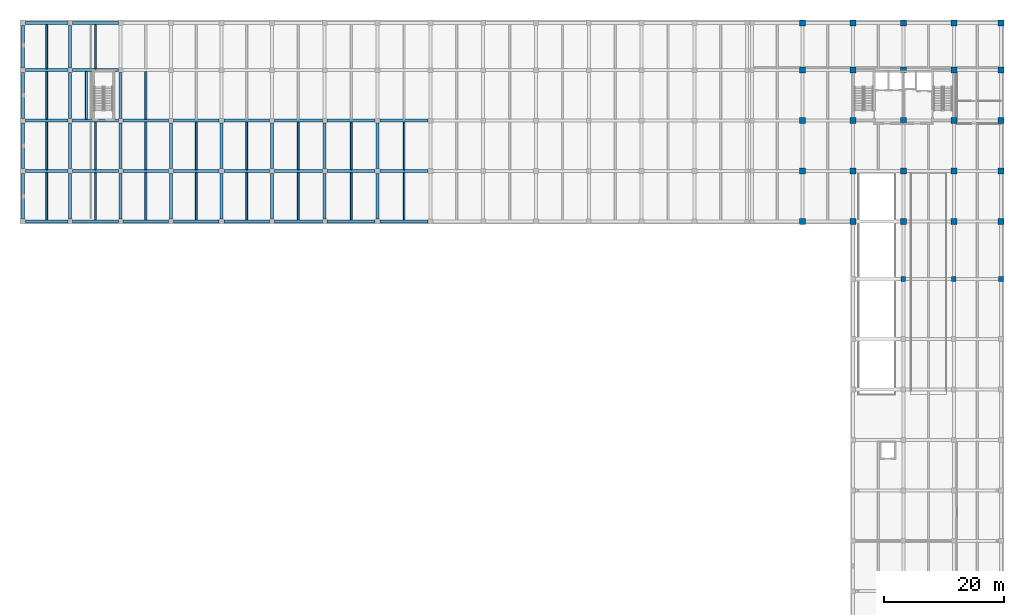
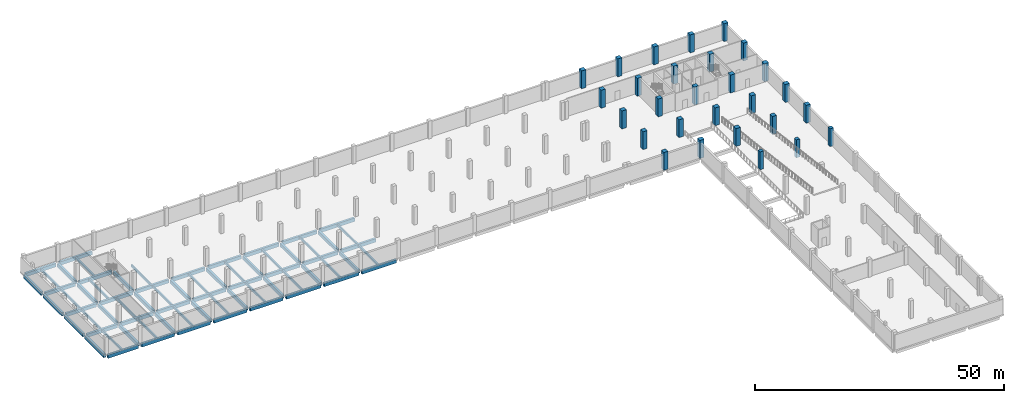
# One storey, part 4 of 17: 70 beams, 28 columns.
"""IFC4 building model written with IfcOpenShell, lengths in metres."""

from ifc_helpers import new_model, si_unit, direction, frame, origin, origin_2d, place, context, subcontext, project, spatial, rectangle, extrude, material, material_profile, profile_set, type_object, element, save


model = new_model("IFC4")

# Units and contexts
model_context = context("Model", 3, precision=1e-05, world=origin(), true_north=direction((0.0, 1.0)))
body_context = subcontext(model_context, "Body", "Model", "MODEL_VIEW")
ifc_project = project(units=[si_unit("LENGTHUNIT", "METRE"), si_unit("AREAUNIT", "SQUARE_METRE"), si_unit("VOLUMEUNIT", "CUBIC_METRE"), si_unit("PLANEANGLEUNIT", "RADIAN"), si_unit("MASSUNIT", "GRAM", prefix="KILO")], contexts=[model_context])

# Site, building, storey
site_placement = place(None, origin())
site = spatial("IfcSite", under=ifc_project, at=site_placement, CompositionType="ELEMENT")
building_placement = place(site_placement, origin())
building = spatial("IfcBuilding", under=site, at=building_placement, Name="Brinegate Botanical Conservatory", CompositionType="ELEMENT")
storey_placement = place(building_placement, frame((0.0, 0.0, -4.800048828125)))
storey = spatial("IfcBuildingStorey", under=building, at=storey_placement, Name="B1", CompositionType="ELEMENT", Elevation=-4.800048828125)

# Columns
ifc_material_1 = material(Name="Concrete C50/60", Category="concrete")
ifc_material_profile_1 = material_profile(ifc_material_1, rectangle(XDim=1.0, YDim=1.0, at=origin_2d()), Name="RC COL 1000x1000")
ifc_profile_set_1 = profile_set([ifc_material_profile_1], Name="Concrete C50/60")
column_type_1 = type_object("IfcColumnType", Name="Col_C-T1", PredefinedType="COLUMN", material=ifc_profile_set_1)
for number, where, z_axis, x_axis, name in (
    (1, (130.39990234375, 78.39990234375, 0.0), (0.0, 0.0, 1.0), (1.0, 0.0, 0.0), "Column C-T1 B1 K-17"),
    (2, (130.39990234375, 86.800048828125, 0.0), (0.0, 0.0, 1.0), (1.0, 0.0, 0.0), "Column C-T1 B1 L-17"),
    (3, (130.39990234375, 95.199951171875, 0.0), (0.0, 0.0, 1.0), (1.0, 0.0, 0.0), "Column C-T1 B1 M-17"),
    (4, (130.39990234375, 103.60009765625, 0.0), (0.0, 0.0, 1.0), (1.0, 0.0, 0.0), "Column C-T1 B1 N-17"),
    (5, (130.39990234375, 111.449951171875, 0.0), (0.0, 0.0, 1.0), (1.0, 0.0, 0.0), "Column C-T1 B1 P-17"),
    (6, (138.800048828125, 78.39990234375, 0.0), (0.0, 0.0, 1.0), (1.0, 0.0, 0.0), "Column C-T1 B1 K-18"),
    (7, (138.800048828125, 86.800048828125, 0.0), (0.0, 0.0, 1.0), (1.0, 0.0, 0.0), "Column C-T1 B1 L-18"),
    (8, (138.800048828125, 95.199951171875, 0.0), (0.0, 0.0, 1.0), (1.0, 0.0, 0.0), "Column C-T1 B1 M-18"),
    (9, (138.800048828125, 103.60009765625, 0.0), (0.0, 0.0, 1.0), (1.0, 0.0, 0.0), "Column C-T1 B1 N-18"),
    (10, (138.800048828125, 111.449951171875, 0.0), (0.0, 0.0, 1.0), (1.0, 0.0, 0.0), "Column C-T1 B1 P-18"),
    (11, (147.199951171875, 78.39990234375, 0.0), (0.0, 0.0, 1.0), (1.0, 0.0, 0.0), "Column C-T1 B1 K-19"),
    (12, (147.199951171875, 86.800048828125, 0.0), (0.0, 0.0, 1.0), (1.0, 0.0, 0.0), "Column C-T1 B1 L-19"),
    (13, (147.199951171875, 95.199951171875, 0.0), (0.0, 0.0, 1.0), (1.0, 0.0, 0.0), "Column C-T1 B1 M-19"),
    (14, (147.199951171875, 103.60009765625, 0.0), (0.0, 0.0, 1.0), (1.0, 0.0, 0.0), "Column C-T1 B1 N-19"),
    (15, (147.199951171875, 111.449951171875, 0.0), (0.0, 0.0, 1.0), (1.0, 0.0, 0.0), "Column C-T1 B1 P-19"),
    (16, (155.60009765625, 78.39990234375, 0.0), (0.0, 0.0, 1.0), (1.0, 0.0, 0.0), "Column C-T1 B1 K-20"),
    (17, (155.60009765625, 86.800048828125, 0.0), (0.0, 0.0, 1.0), (1.0, 0.0, 0.0), "Column C-T1 B1 L-20"),
    (18, (155.60009765625, 95.199951171875, 0.0), (0.0, 0.0, 1.0), (1.0, 0.0, 0.0), "Column C-T1 B1 M-20"),
    (19, (155.60009765625, 103.60009765625, 0.0), (0.0, 0.0, 1.0), (1.0, 0.0, 0.0), "Column C-T1 B1 N-20"),
    (20, (155.60009765625, 111.449951171875, 0.0), (0.0, 0.0, 1.0), (1.0, 0.0, 0.0), "Column C-T1 B1 P-20"),
    (21, (163.449951171875, 78.39990234375, 0.0), (0.0, 0.0, 1.0), (1.0, 0.0, 0.0), "Column C-T1 B1 K-21"),
    (22, (163.449951171875, 86.800048828125, 0.0), (0.0, 0.0, 1.0), (1.0, 0.0, 0.0), "Column C-T1 B1 L-21"),
    (23, (163.449951171875, 95.199951171875, 0.0), (0.0, 0.0, 1.0), (1.0, 0.0, 0.0), "Column C-T1 B1 M-21"),
    (24, (163.449951171875, 103.60009765625, 0.0), (0.0, 0.0, 1.0), (1.0, 0.0, 0.0), "Column C-T1 B1 N-21"),
    (25, (163.449951171875, 111.449951171875, 0.0), (0.0, 0.0, 1.0), (1.0, 0.0, 0.0), "Column C-T1 B1 P-21"),
):
    element("IfcColumn", number, at=place(storey_placement, frame(where, z_axis=z_axis, x_axis=x_axis)), inside=storey, type_object=column_type_1, Name=name, PredefinedType="COLUMN", context=body_context, shape_type="SweptSolid", body=[
        extrude(rectangle(XDim=1.0, YDim=1.0, at=origin_2d()), origin(), (0.0, 0.0, 1.0), 4.39501953125),
    ])
ifc_material_2 = material(Name="Concrete C40/50", Category="concrete")
ifc_material_profile_2 = material_profile(ifc_material_2, rectangle(XDim=0.800048828125, YDim=0.800048828125, at=origin_2d()), Name="RC COL 800x800")
ifc_profile_set_2 = profile_set([ifc_material_profile_2], Name="Concrete C40/50")
column_type_2 = type_object("IfcColumnType", Name="Col_C-W1", PredefinedType="COLUMN", material=ifc_profile_set_2)
for number, where, z_axis, x_axis, name in (
    (26, (147.199951171875, 68.800048828125, 0.0), (0.0, 0.0, 1.0), (1.0, 0.0, 0.0), "Column C-W1 B1 J-19"),
    (27, (155.60009765625, 68.800048828125, 0.0), (0.0, 0.0, 1.0), (1.0, 0.0, 0.0), "Column C-W1 B1 J-20"),
    (28, (163.449951171875, 68.800048828125, 0.0), (0.0, 0.0, 1.0), (1.0, 0.0, 0.0), "Column C-W1 B1 J-21"),
):
    element("IfcColumn", number, at=place(storey_placement, frame(where, z_axis=z_axis, x_axis=x_axis)), inside=storey, type_object=column_type_2, Name=name, PredefinedType="COLUMN", context=body_context, shape_type="SweptSolid", body=[
        extrude(rectangle(XDim=0.800048828125, YDim=0.800048828125, at=origin_2d()), origin(), (0.0, 0.0, 1.0), 4.39501953125),
    ])

# Beams
ifc_material_profile_3 = material_profile(ifc_material_2, rectangle(XDim=0.5, YDim=0.85009765625, at=origin_2d()), Name="RC BM 500x850")
ifc_profile_set_3 = profile_set([ifc_material_profile_3], Name="Concrete C40/50")
beam_type_1 = type_object("IfcBeamType", Name="Beam_BM-B1", PredefinedType="BEAM", material=ifc_profile_set_3)
beam_1_placement = place(storey_placement, frame((0.949951171875, 78.39990234375, -0.744873046875), z_axis=(1.0, 0.0, 0.0), x_axis=(0.0, 1.0, 0.0)))
element("IfcBeam", 29, at=beam_1_placement, inside=storey, type_object=beam_type_1, Name="Beam BM-B1 B1 K:1-2", PredefinedType="BEAM", context=body_context, shape_type="SweptSolid", body=[
    extrude(rectangle(XDim=0.5, YDim=0.85009765625, at=origin_2d()), origin(), (0.0, 0.0, 1.0), 7.050048828125),
])
beam_2_placement = place(storey_placement, frame((8.800048828125, 78.39990234375, -0.744873046875), z_axis=(1.0, 0.0, 0.0), x_axis=(0.0, 1.0, 0.0)))
element("IfcBeam", 30, at=beam_2_placement, inside=storey, type_object=beam_type_1, Name="Beam BM-B1 B1 K:2-3", PredefinedType="BEAM", context=body_context, shape_type="SweptSolid", body=[
    extrude(rectangle(XDim=0.5, YDim=0.85009765625, at=origin_2d()), origin(), (0.0, 0.0, 1.0), 7.599853515625),
])
beam_3_placement = place(storey_placement, frame((17.199951171875, 78.39990234375, -0.744873046875), z_axis=(1.0, 0.0, 0.0), x_axis=(0.0, 1.0, 0.0)))
element("IfcBeam", 31, at=beam_3_placement, inside=storey, type_object=beam_type_1, Name="Beam BM-B1 B1 K:3-4", PredefinedType="BEAM", context=body_context, shape_type="SweptSolid", body=[
    extrude(rectangle(XDim=0.5, YDim=0.85009765625, at=origin_2d()), origin(), (0.0, 0.0, 1.0), 7.60009765625),
])
beam_4_placement = place(storey_placement, frame((25.60009765625, 78.39990234375, -0.744873046875), z_axis=(1.0, 0.0, 0.0), x_axis=(0.0, 1.0, 0.0)))
element("IfcBeam", 32, at=beam_4_placement, inside=storey, type_object=beam_type_1, Name="Beam BM-B1 B1 K:4-5", PredefinedType="BEAM", context=body_context, shape_type="SweptSolid", body=[
    extrude(rectangle(XDim=0.5, YDim=0.85009765625, at=origin_2d()), origin(), (0.0, 0.0, 1.0), 7.599853515625),
])
beam_5_placement = place(storey_placement, frame((34.0, 78.39990234375, -0.744873046875), z_axis=(1.0, 0.0, 0.0), x_axis=(0.0, 1.0, 0.0)))
element("IfcBeam", 33, at=beam_5_placement, inside=storey, type_object=beam_type_1, Name="Beam BM-B1 B1 K:5-6", PredefinedType="BEAM", context=body_context, shape_type="SweptSolid", body=[
    extrude(rectangle(XDim=0.5, YDim=0.85009765625, at=origin_2d()), origin(), (0.0, 0.0, 1.0), 7.60009765625),
])
for number, where, z_axis, x_axis, name in (
    (34, (42.39990234375, 78.39990234375, -0.744873046875), (1.0, 0.0, 0.0), (0.0, 1.0, 0.0), "Beam BM-B1 B1 K:6-7"),
    (35, (51.199951171875, 78.39990234375, -0.744873046875), (1.0, 0.0, 0.0), (0.0, 1.0, 0.0), "Beam BM-B1 B1 K:7-8"),
    (36, (60.0, 78.39990234375, -0.744873046875), (1.0, 0.0, 0.0), (0.0, 1.0, 0.0), "Beam BM-B1 B1 K:8-9"),
):
    element("IfcBeam", number, at=place(storey_placement, frame(where, z_axis=z_axis, x_axis=x_axis)), inside=storey, type_object=beam_type_1, Name=name, PredefinedType="BEAM", context=body_context, shape_type="SweptSolid", body=[
        extrude(rectangle(XDim=0.5, YDim=0.85009765625, at=origin_2d()), origin(), (0.0, 0.0, 1.0), 8.0),
    ])
beam_6_placement = place(storey_placement, frame((0.949951171875, 86.800048828125, -0.744873046875), z_axis=(1.0, 0.0, 0.0), x_axis=(0.0, 1.0, 0.0)))
element("IfcBeam", 37, at=beam_6_placement, inside=storey, type_object=beam_type_1, Name="Beam BM-B1 B1 L:1-2", PredefinedType="BEAM", context=body_context, shape_type="SweptSolid", body=[
    extrude(rectangle(XDim=0.5, YDim=0.85009765625, at=origin_2d()), origin(), (0.0, 0.0, 1.0), 7.050048828125),
])
beam_7_placement = place(storey_placement, frame((8.800048828125, 86.800048828125, -0.744873046875), z_axis=(1.0, 0.0, 0.0), x_axis=(0.0, 1.0, 0.0)))
element("IfcBeam", 38, at=beam_7_placement, inside=storey, type_object=beam_type_1, Name="Beam BM-B1 B1 L:2-3", PredefinedType="BEAM", context=body_context, shape_type="SweptSolid", body=[
    extrude(rectangle(XDim=0.5, YDim=0.85009765625, at=origin_2d()), origin(), (0.0, 0.0, 1.0), 7.599853515625),
])
beam_8_placement = place(storey_placement, frame((17.199951171875, 86.800048828125, -0.744873046875), z_axis=(1.0, 0.0, 0.0), x_axis=(0.0, 1.0, 0.0)))
element("IfcBeam", 39, at=beam_8_placement, inside=storey, type_object=beam_type_1, Name="Beam BM-B1 B1 L:3-4", PredefinedType="BEAM", context=body_context, shape_type="SweptSolid", body=[
    extrude(rectangle(XDim=0.5, YDim=0.85009765625, at=origin_2d()), origin(), (0.0, 0.0, 1.0), 7.60009765625),
])
beam_9_placement = place(storey_placement, frame((25.60009765625, 86.800048828125, -0.744873046875), z_axis=(1.0, 0.0, 0.0), x_axis=(0.0, 1.0, 0.0)))
element("IfcBeam", 40, at=beam_9_placement, inside=storey, type_object=beam_type_1, Name="Beam BM-B1 B1 L:4-5", PredefinedType="BEAM", context=body_context, shape_type="SweptSolid", body=[
    extrude(rectangle(XDim=0.5, YDim=0.85009765625, at=origin_2d()), origin(), (0.0, 0.0, 1.0), 7.599853515625),
])
beam_10_placement = place(storey_placement, frame((34.0, 86.800048828125, -0.744873046875), z_axis=(1.0, 0.0, 0.0), x_axis=(0.0, 1.0, 0.0)))
element("IfcBeam", 41, at=beam_10_placement, inside=storey, type_object=beam_type_1, Name="Beam BM-B1 B1 L:5-6", PredefinedType="BEAM", context=body_context, shape_type="SweptSolid", body=[
    extrude(rectangle(XDim=0.5, YDim=0.85009765625, at=origin_2d()), origin(), (0.0, 0.0, 1.0), 7.60009765625),
])
for number, where, z_axis, x_axis, name in (
    (42, (42.39990234375, 86.800048828125, -0.744873046875), (1.0, 0.0, 0.0), (0.0, 1.0, 0.0), "Beam BM-B1 B1 L:6-7"),
    (43, (51.199951171875, 86.800048828125, -0.744873046875), (1.0, 0.0, 0.0), (0.0, 1.0, 0.0), "Beam BM-B1 B1 L:7-8"),
    (44, (60.0, 86.800048828125, -0.744873046875), (1.0, 0.0, 0.0), (0.0, 1.0, 0.0), "Beam BM-B1 B1 L:8-9"),
):
    element("IfcBeam", number, at=place(storey_placement, frame(where, z_axis=z_axis, x_axis=x_axis)), inside=storey, type_object=beam_type_1, Name=name, PredefinedType="BEAM", context=body_context, shape_type="SweptSolid", body=[
        extrude(rectangle(XDim=0.5, YDim=0.85009765625, at=origin_2d()), origin(), (0.0, 0.0, 1.0), 8.0),
    ])
beam_11_placement = place(storey_placement, frame((0.949951171875, 95.199951171875, -0.744873046875), z_axis=(1.0, 0.0, 0.0), x_axis=(0.0, 1.0, 0.0)))
element("IfcBeam", 45, at=beam_11_placement, inside=storey, type_object=beam_type_1, Name="Beam BM-B1 B1 M:1-2", PredefinedType="BEAM", context=body_context, shape_type="SweptSolid", body=[
    extrude(rectangle(XDim=0.5, YDim=0.85009765625, at=origin_2d()), origin(), (0.0, 0.0, 1.0), 7.050048828125),
])
beam_12_placement = place(storey_placement, frame((8.800048828125, 95.199951171875, -0.744873046875), z_axis=(1.0, 0.0, 0.0), x_axis=(0.0, 1.0, 0.0)))
element("IfcBeam", 46, at=beam_12_placement, inside=storey, type_object=beam_type_1, Name="Beam BM-B1 B1 M:2-3", PredefinedType="BEAM", context=body_context, shape_type="SweptSolid", body=[
    extrude(rectangle(XDim=0.5, YDim=0.85009765625, at=origin_2d()), origin(), (0.0, 0.0, 1.0), 7.599853515625),
])
beam_13_placement = place(storey_placement, frame((17.199951171875, 95.199951171875, -0.744873046875), z_axis=(1.0, 0.0, 0.0), x_axis=(0.0, 1.0, 0.0)))
element("IfcBeam", 47, at=beam_13_placement, inside=storey, type_object=beam_type_1, Name="Beam BM-B1 B1 M:3-4", PredefinedType="BEAM", context=body_context, shape_type="SweptSolid", body=[
    extrude(rectangle(XDim=0.5, YDim=0.85009765625, at=origin_2d()), origin(), (0.0, 0.0, 1.0), 7.60009765625),
])
beam_14_placement = place(storey_placement, frame((25.60009765625, 95.199951171875, -0.744873046875), z_axis=(1.0, 0.0, 0.0), x_axis=(0.0, 1.0, 0.0)))
element("IfcBeam", 48, at=beam_14_placement, inside=storey, type_object=beam_type_1, Name="Beam BM-B1 B1 M:4-5", PredefinedType="BEAM", context=body_context, shape_type="SweptSolid", body=[
    extrude(rectangle(XDim=0.5, YDim=0.85009765625, at=origin_2d()), origin(), (0.0, 0.0, 1.0), 7.599853515625),
])
beam_15_placement = place(storey_placement, frame((34.0, 95.199951171875, -0.744873046875), z_axis=(1.0, 0.0, 0.0), x_axis=(0.0, 1.0, 0.0)))
element("IfcBeam", 49, at=beam_15_placement, inside=storey, type_object=beam_type_1, Name="Beam BM-B1 B1 M:5-6", PredefinedType="BEAM", context=body_context, shape_type="SweptSolid", body=[
    extrude(rectangle(XDim=0.5, YDim=0.85009765625, at=origin_2d()), origin(), (0.0, 0.0, 1.0), 7.60009765625),
])
for number, where, z_axis, x_axis, name in (
    (50, (42.39990234375, 95.199951171875, -0.744873046875), (1.0, 0.0, 0.0), (0.0, 1.0, 0.0), "Beam BM-B1 B1 M:6-7"),
    (51, (51.199951171875, 95.199951171875, -0.744873046875), (1.0, 0.0, 0.0), (0.0, 1.0, 0.0), "Beam BM-B1 B1 M:7-8"),
    (52, (60.0, 95.199951171875, -0.744873046875), (1.0, 0.0, 0.0), (0.0, 1.0, 0.0), "Beam BM-B1 B1 M:8-9"),
):
    element("IfcBeam", number, at=place(storey_placement, frame(where, z_axis=z_axis, x_axis=x_axis)), inside=storey, type_object=beam_type_1, Name=name, PredefinedType="BEAM", context=body_context, shape_type="SweptSolid", body=[
        extrude(rectangle(XDim=0.5, YDim=0.85009765625, at=origin_2d()), origin(), (0.0, 0.0, 1.0), 8.0),
    ])
beam_16_placement = place(storey_placement, frame((0.949951171875, 103.60009765625, -0.744873046875), z_axis=(1.0, 0.0, 0.0), x_axis=(0.0, 1.0, 0.0)))
element("IfcBeam", 53, at=beam_16_placement, inside=storey, type_object=beam_type_1, Name="Beam BM-B1 B1 N:1-2", PredefinedType="BEAM", context=body_context, shape_type="SweptSolid", body=[
    extrude(rectangle(XDim=0.5, YDim=0.85009765625, at=origin_2d()), origin(), (0.0, 0.0, 1.0), 7.050048828125),
])
beam_17_placement = place(storey_placement, frame((8.800048828125, 103.60009765625, -0.744873046875), z_axis=(1.0, 0.0, 0.0), x_axis=(0.0, 1.0, 0.0)))
element("IfcBeam", 54, at=beam_17_placement, inside=storey, type_object=beam_type_1, Name="Beam BM-B1 B1 N:2-3", PredefinedType="BEAM", context=body_context, shape_type="SweptSolid", body=[
    extrude(rectangle(XDim=0.5, YDim=0.85009765625, at=origin_2d()), origin(), (0.0, 0.0, 1.0), 7.599853515625),
])
beam_18_placement = place(storey_placement, frame((0.949951171875, 111.449951171875, -0.744873046875), z_axis=(1.0, 0.0, 0.0), x_axis=(0.0, 1.0, 0.0)))
element("IfcBeam", 55, at=beam_18_placement, inside=storey, type_object=beam_type_1, Name="Beam BM-B1 B1 P:1-2", PredefinedType="BEAM", context=body_context, shape_type="SweptSolid", body=[
    extrude(rectangle(XDim=0.5, YDim=0.85009765625, at=origin_2d()), origin(), (0.0, 0.0, 1.0), 7.050048828125),
])
for number, where, z_axis, x_axis, name in (
    (56, (8.800048828125, 111.449951171875, -0.744873046875), (1.0, 0.0, 0.0), (0.0, 1.0, 0.0), "Beam BM-B1 B1 P:2-3"),
    (57, (0.550048828125, 78.800048828125, -0.744873046875), (0.0, 1.0, 0.0), (-1.0, 0.0, 0.0), "Beam BM-B1 B1 1:K-L"),
):
    element("IfcBeam", number, at=place(storey_placement, frame(where, z_axis=z_axis, x_axis=x_axis)), inside=storey, type_object=beam_type_1, Name=name, PredefinedType="BEAM", context=body_context, shape_type="SweptSolid", body=[
        extrude(rectangle(XDim=0.5, YDim=0.85009765625, at=origin_2d()), origin(), (0.0, 0.0, 1.0), 7.599853515625),
    ])
beam_19_placement = place(storey_placement, frame((0.550048828125, 87.199951171875, -0.744873046875), z_axis=(0.0, 1.0, 0.0), x_axis=(-1.0, 0.0, 0.0)))
element("IfcBeam", 58, at=beam_19_placement, inside=storey, type_object=beam_type_1, Name="Beam BM-B1 B1 1:L-M", PredefinedType="BEAM", context=body_context, shape_type="SweptSolid", body=[
    extrude(rectangle(XDim=0.5, YDim=0.85009765625, at=origin_2d()), origin(), (0.0, 0.0, 1.0), 7.60009765625),
])
beam_20_placement = place(storey_placement, frame((0.550048828125, 95.60009765625, -0.744873046875), z_axis=(0.0, 1.0, 0.0), x_axis=(-1.0, 0.0, 0.0)))
element("IfcBeam", 59, at=beam_20_placement, inside=storey, type_object=beam_type_1, Name="Beam BM-B1 B1 1:M-N", PredefinedType="BEAM", context=body_context, shape_type="SweptSolid", body=[
    extrude(rectangle(XDim=0.5, YDim=0.85009765625, at=origin_2d()), origin(), (0.0, 0.0, 1.0), 7.599853515625),
])
beam_21_placement = place(storey_placement, frame((0.550048828125, 104.0, -0.744873046875), z_axis=(0.0, 1.0, 0.0), x_axis=(-1.0, 0.0, 0.0)))
element("IfcBeam", 60, at=beam_21_placement, inside=storey, type_object=beam_type_1, Name="Beam BM-B1 B1 1:N-P", PredefinedType="BEAM", context=body_context, shape_type="SweptSolid", body=[
    extrude(rectangle(XDim=0.5, YDim=0.85009765625, at=origin_2d()), origin(), (0.0, 0.0, 1.0), 7.050048828125),
])
beam_22_placement = place(storey_placement, frame((8.39990234375, 78.800048828125, -0.744873046875), z_axis=(0.0, 1.0, 0.0), x_axis=(-1.0, 0.0, 0.0)))
element("IfcBeam", 61, at=beam_22_placement, inside=storey, type_object=beam_type_1, Name="Beam BM-B1 B1 2:K-L", PredefinedType="BEAM", context=body_context, shape_type="SweptSolid", body=[
    extrude(rectangle(XDim=0.5, YDim=0.85009765625, at=origin_2d()), origin(), (0.0, 0.0, 1.0), 7.599853515625),
])
beam_23_placement = place(storey_placement, frame((8.39990234375, 87.199951171875, -0.744873046875), z_axis=(0.0, 1.0, 0.0), x_axis=(-1.0, 0.0, 0.0)))
element("IfcBeam", 62, at=beam_23_placement, inside=storey, type_object=beam_type_1, Name="Beam BM-B1 B1 2:L-M", PredefinedType="BEAM", context=body_context, shape_type="SweptSolid", body=[
    extrude(rectangle(XDim=0.5, YDim=0.85009765625, at=origin_2d()), origin(), (0.0, 0.0, 1.0), 7.60009765625),
])
beam_24_placement = place(storey_placement, frame((8.39990234375, 95.60009765625, -0.744873046875), z_axis=(0.0, 1.0, 0.0), x_axis=(-1.0, 0.0, 0.0)))
element("IfcBeam", 63, at=beam_24_placement, inside=storey, type_object=beam_type_1, Name="Beam BM-B1 B1 2:M-N", PredefinedType="BEAM", context=body_context, shape_type="SweptSolid", body=[
    extrude(rectangle(XDim=0.5, YDim=0.85009765625, at=origin_2d()), origin(), (0.0, 0.0, 1.0), 7.599853515625),
])
beam_25_placement = place(storey_placement, frame((8.39990234375, 104.0, -0.744873046875), z_axis=(0.0, 1.0, 0.0), x_axis=(-1.0, 0.0, 0.0)))
element("IfcBeam", 64, at=beam_25_placement, inside=storey, type_object=beam_type_1, Name="Beam BM-B1 B1 2:N-P", PredefinedType="BEAM", context=body_context, shape_type="SweptSolid", body=[
    extrude(rectangle(XDim=0.5, YDim=0.85009765625, at=origin_2d()), origin(), (0.0, 0.0, 1.0), 7.050048828125),
])
beam_26_placement = place(storey_placement, frame((16.800048828125, 78.800048828125, -0.744873046875), z_axis=(0.0, 1.0, 0.0), x_axis=(-1.0, 0.0, 0.0)))
element("IfcBeam", 65, at=beam_26_placement, inside=storey, type_object=beam_type_1, Name="Beam BM-B1 B1 3:K-L", PredefinedType="BEAM", context=body_context, shape_type="SweptSolid", body=[
    extrude(rectangle(XDim=0.5, YDim=0.85009765625, at=origin_2d()), origin(), (0.0, 0.0, 1.0), 7.599853515625),
])
beam_27_placement = place(storey_placement, frame((16.800048828125, 87.199951171875, -0.744873046875), z_axis=(0.0, 1.0, 0.0), x_axis=(-1.0, 0.0, 0.0)))
element("IfcBeam", 66, at=beam_27_placement, inside=storey, type_object=beam_type_1, Name="Beam BM-B1 B1 3:L-M", PredefinedType="BEAM", context=body_context, shape_type="SweptSolid", body=[
    extrude(rectangle(XDim=0.5, YDim=0.85009765625, at=origin_2d()), origin(), (0.0, 0.0, 1.0), 7.60009765625),
])
for number, where, z_axis, x_axis, name in (
    (67, (16.800048828125, 95.60009765625, -0.744873046875), (0.0, 1.0, 0.0), (-1.0, 0.0, 0.0), "Beam BM-B1 B1 3:M-N"),
    (68, (25.199951171875, 78.800048828125, -0.744873046875), (0.0, 1.0, 0.0), (-1.0, 0.0, 0.0), "Beam BM-B1 B1 4:K-L"),
):
    element("IfcBeam", number, at=place(storey_placement, frame(where, z_axis=z_axis, x_axis=x_axis)), inside=storey, type_object=beam_type_1, Name=name, PredefinedType="BEAM", context=body_context, shape_type="SweptSolid", body=[
        extrude(rectangle(XDim=0.5, YDim=0.85009765625, at=origin_2d()), origin(), (0.0, 0.0, 1.0), 7.599853515625),
    ])
beam_28_placement = place(storey_placement, frame((25.199951171875, 87.199951171875, -0.744873046875), z_axis=(0.0, 1.0, 0.0), x_axis=(-1.0, 0.0, 0.0)))
element("IfcBeam", 69, at=beam_28_placement, inside=storey, type_object=beam_type_1, Name="Beam BM-B1 B1 4:L-M", PredefinedType="BEAM", context=body_context, shape_type="SweptSolid", body=[
    extrude(rectangle(XDim=0.5, YDim=0.85009765625, at=origin_2d()), origin(), (0.0, 0.0, 1.0), 7.60009765625),
])
beam_29_placement = place(storey_placement, frame((33.60009765625, 78.800048828125, -0.744873046875), z_axis=(0.0, 1.0, 0.0), x_axis=(-1.0, 0.0, 0.0)))
element("IfcBeam", 70, at=beam_29_placement, inside=storey, type_object=beam_type_1, Name="Beam BM-B1 B1 5:K-L", PredefinedType="BEAM", context=body_context, shape_type="SweptSolid", body=[
    extrude(rectangle(XDim=0.5, YDim=0.85009765625, at=origin_2d()), origin(), (0.0, 0.0, 1.0), 7.599853515625),
])
beam_30_placement = place(storey_placement, frame((33.60009765625, 87.199951171875, -0.744873046875), z_axis=(0.0, 1.0, 0.0), x_axis=(-1.0, 0.0, 0.0)))
element("IfcBeam", 71, at=beam_30_placement, inside=storey, type_object=beam_type_1, Name="Beam BM-B1 B1 5:L-M", PredefinedType="BEAM", context=body_context, shape_type="SweptSolid", body=[
    extrude(rectangle(XDim=0.5, YDim=0.85009765625, at=origin_2d()), origin(), (0.0, 0.0, 1.0), 7.60009765625),
])
beam_31_placement = place(storey_placement, frame((42.0, 78.800048828125, -0.744873046875), z_axis=(0.0, 1.0, 0.0), x_axis=(-1.0, 0.0, 0.0)))
element("IfcBeam", 72, at=beam_31_placement, inside=storey, type_object=beam_type_1, Name="Beam BM-B1 B1 6:K-L", PredefinedType="BEAM", context=body_context, shape_type="SweptSolid", body=[
    extrude(rectangle(XDim=0.5, YDim=0.85009765625, at=origin_2d()), origin(), (0.0, 0.0, 1.0), 7.599853515625),
])
beam_32_placement = place(storey_placement, frame((42.0, 87.199951171875, -0.744873046875), z_axis=(0.0, 1.0, 0.0), x_axis=(-1.0, 0.0, 0.0)))
element("IfcBeam", 73, at=beam_32_placement, inside=storey, type_object=beam_type_1, Name="Beam BM-B1 B1 6:L-M", PredefinedType="BEAM", context=body_context, shape_type="SweptSolid", body=[
    extrude(rectangle(XDim=0.5, YDim=0.85009765625, at=origin_2d()), origin(), (0.0, 0.0, 1.0), 7.60009765625),
])
beam_33_placement = place(storey_placement, frame((50.800048828125, 78.800048828125, -0.744873046875), z_axis=(0.0, 1.0, 0.0), x_axis=(-1.0, 0.0, 0.0)))
element("IfcBeam", 74, at=beam_33_placement, inside=storey, type_object=beam_type_1, Name="Beam BM-B1 B1 7:K-L", PredefinedType="BEAM", context=body_context, shape_type="SweptSolid", body=[
    extrude(rectangle(XDim=0.5, YDim=0.85009765625, at=origin_2d()), origin(), (0.0, 0.0, 1.0), 7.599853515625),
])
beam_34_placement = place(storey_placement, frame((50.800048828125, 87.199951171875, -0.744873046875), z_axis=(0.0, 1.0, 0.0), x_axis=(-1.0, 0.0, 0.0)))
element("IfcBeam", 75, at=beam_34_placement, inside=storey, type_object=beam_type_1, Name="Beam BM-B1 B1 7:L-M", PredefinedType="BEAM", context=body_context, shape_type="SweptSolid", body=[
    extrude(rectangle(XDim=0.5, YDim=0.85009765625, at=origin_2d()), origin(), (0.0, 0.0, 1.0), 7.60009765625),
])
beam_35_placement = place(storey_placement, frame((59.60009765625, 78.800048828125, -0.744873046875), z_axis=(0.0, 1.0, 0.0), x_axis=(-1.0, 0.0, 0.0)))
element("IfcBeam", 76, at=beam_35_placement, inside=storey, type_object=beam_type_1, Name="Beam BM-B1 B1 8:K-L", PredefinedType="BEAM", context=body_context, shape_type="SweptSolid", body=[
    extrude(rectangle(XDim=0.5, YDim=0.85009765625, at=origin_2d()), origin(), (0.0, 0.0, 1.0), 7.599853515625),
])
beam_36_placement = place(storey_placement, frame((59.60009765625, 87.199951171875, -0.744873046875), z_axis=(0.0, 1.0, 0.0), x_axis=(-1.0, 0.0, 0.0)))
element("IfcBeam", 77, at=beam_36_placement, inside=storey, type_object=beam_type_1, Name="Beam BM-B1 B1 8:L-M", PredefinedType="BEAM", context=body_context, shape_type="SweptSolid", body=[
    extrude(rectangle(XDim=0.5, YDim=0.85009765625, at=origin_2d()), origin(), (0.0, 0.0, 1.0), 7.60009765625),
])
ifc_material_profile_4 = material_profile(ifc_material_2, rectangle(XDim=0.300048828125, YDim=0.550048828125, at=origin_2d()), Name="RC JST 300x550")
ifc_profile_set_4 = profile_set([ifc_material_profile_4], Name="Concrete C40/50")
beam_type_2 = type_object("IfcBeamType", Name="Beam_JS-C1", PredefinedType="JOIST", material=ifc_profile_set_4)
beam_37_placement = place(storey_placement, frame((4.47509765625, 78.64990234375, -0.594970703125), z_axis=(0.0, 1.0, 0.0), x_axis=(-1.0, 0.0, 0.0)))
element("IfcBeam", 78, at=beam_37_placement, inside=storey, type_object=beam_type_2, Name="Floor joist JS-C1 B1 bay 1.10", PredefinedType="JOIST", context=body_context, shape_type="SweptSolid", body=[
    extrude(rectangle(XDim=0.300048828125, YDim=0.550048828125, at=origin_2d()), origin(), (0.0, 0.0, 1.0), 7.900146484375),
])
beam_38_placement = place(storey_placement, frame((4.47509765625, 87.050048828125, -0.594970703125), z_axis=(0.0, 1.0, 0.0), x_axis=(-1.0, 0.0, 0.0)))
element("IfcBeam", 79, at=beam_38_placement, inside=storey, type_object=beam_type_2, Name="Floor joist JS-C1 B1 bay 1.11", PredefinedType="JOIST", context=body_context, shape_type="SweptSolid", body=[
    extrude(rectangle(XDim=0.300048828125, YDim=0.550048828125, at=origin_2d()), origin(), (0.0, 0.0, 1.0), 7.89990234375),
])
beam_39_placement = place(storey_placement, frame((4.47509765625, 95.449951171875, -0.594970703125), z_axis=(0.0, 1.0, 0.0), x_axis=(-1.0, 0.0, 0.0)))
element("IfcBeam", 80, at=beam_39_placement, inside=storey, type_object=beam_type_2, Name="Floor joist JS-C1 B1 bay 1.12", PredefinedType="JOIST", context=body_context, shape_type="SweptSolid", body=[
    extrude(rectangle(XDim=0.300048828125, YDim=0.550048828125, at=origin_2d()), origin(), (0.0, 0.0, 1.0), 7.900146484375),
])
beam_40_placement = place(storey_placement, frame((4.47509765625, 103.85009765625, -0.594970703125), z_axis=(0.0, 1.0, 0.0), x_axis=(-1.0, 0.0, 0.0)))
element("IfcBeam", 81, at=beam_40_placement, inside=storey, type_object=beam_type_2, Name="Floor joist JS-C1 B1 bay 1.13", PredefinedType="JOIST", context=body_context, shape_type="SweptSolid", body=[
    extrude(rectangle(XDim=0.300048828125, YDim=0.550048828125, at=origin_2d()), origin(), (0.0, 0.0, 1.0), 7.349853515625),
])
beam_41_placement = place(storey_placement, frame((12.60009765625, 78.64990234375, -0.594970703125), z_axis=(0.0, 1.0, 0.0), x_axis=(-1.0, 0.0, 0.0)))
element("IfcBeam", 82, at=beam_41_placement, inside=storey, type_object=beam_type_2, Name="Floor joist JS-C1 B1 bay 2.10", PredefinedType="JOIST", context=body_context, shape_type="SweptSolid", body=[
    extrude(rectangle(XDim=0.300048828125, YDim=0.550048828125, at=origin_2d()), origin(), (0.0, 0.0, 1.0), 7.900146484375),
])
beam_42_placement = place(storey_placement, frame((12.60009765625, 87.050048828125, -0.594970703125), z_axis=(0.0, 1.0, 0.0), x_axis=(-1.0, 0.0, 0.0)))
element("IfcBeam", 83, at=beam_42_placement, inside=storey, type_object=beam_type_2, Name="Floor joist JS-C1 B1 bay 2.11", PredefinedType="JOIST", context=body_context, shape_type="SweptSolid", body=[
    extrude(rectangle(XDim=0.300048828125, YDim=0.550048828125, at=origin_2d()), origin(), (0.0, 0.0, 1.0), 7.89990234375),
])
beam_43_placement = place(storey_placement, frame((11.087890625, 95.449951171875, -0.594970703125), z_axis=(0.0, 1.0, 0.0), x_axis=(-1.0, 0.0, 0.0)))
element("IfcBeam", 84, at=beam_43_placement, inside=storey, type_object=beam_type_2, Name="Floor joist JS-C1 B1 bay 2.12", PredefinedType="JOIST", context=body_context, shape_type="SweptSolid", body=[
    extrude(rectangle(XDim=0.300048828125, YDim=0.550048828125, at=origin_2d()), origin(), (0.0, 0.0, 1.0), 7.900146484375),
])
beam_44_placement = place(storey_placement, frame((12.60009765625, 103.85009765625, -0.594970703125), z_axis=(0.0, 1.0, 0.0), x_axis=(-1.0, 0.0, 0.0)))
element("IfcBeam", 85, at=beam_44_placement, inside=storey, type_object=beam_type_2, Name="Floor joist JS-C1 B1 bay 2.13", PredefinedType="JOIST", context=body_context, shape_type="SweptSolid", body=[
    extrude(rectangle(XDim=0.300048828125, YDim=0.550048828125, at=origin_2d()), origin(), (0.0, 0.0, 1.0), 7.349853515625),
])
beam_45_placement = place(storey_placement, frame((21.0, 78.64990234375, -0.594970703125), z_axis=(0.0, 1.0, 0.0), x_axis=(-1.0, 0.0, 0.0)))
element("IfcBeam", 86, at=beam_45_placement, inside=storey, type_object=beam_type_2, Name="Floor joist JS-C1 B1 bay 3.10", PredefinedType="JOIST", context=body_context, shape_type="SweptSolid", body=[
    extrude(rectangle(XDim=0.300048828125, YDim=0.550048828125, at=origin_2d()), origin(), (0.0, 0.0, 1.0), 7.900146484375),
])
beam_46_placement = place(storey_placement, frame((21.0, 87.050048828125, -0.594970703125), z_axis=(0.0, 1.0, 0.0), x_axis=(-1.0, 0.0, 0.0)))
element("IfcBeam", 87, at=beam_46_placement, inside=storey, type_object=beam_type_2, Name="Floor joist JS-C1 B1 bay 3.11", PredefinedType="JOIST", context=body_context, shape_type="SweptSolid", body=[
    extrude(rectangle(XDim=0.300048828125, YDim=0.550048828125, at=origin_2d()), origin(), (0.0, 0.0, 1.0), 7.89990234375),
])
for number, where, z_axis, x_axis, name in (
    (88, (21.0, 95.449951171875, -0.594970703125), (0.0, 1.0, 0.0), (-1.0, 0.0, 0.0), "Floor joist JS-C1 B1 bay 3.12"),
    (89, (29.39990234375, 78.64990234375, -0.594970703125), (0.0, 1.0, 0.0), (-1.0, 0.0, 0.0), "Floor joist JS-C1 B1 bay 4.10"),
):
    element("IfcBeam", number, at=place(storey_placement, frame(where, z_axis=z_axis, x_axis=x_axis)), inside=storey, type_object=beam_type_2, Name=name, PredefinedType="JOIST", context=body_context, shape_type="SweptSolid", body=[
        extrude(rectangle(XDim=0.300048828125, YDim=0.550048828125, at=origin_2d()), origin(), (0.0, 0.0, 1.0), 7.900146484375),
    ])
beam_47_placement = place(storey_placement, frame((29.39990234375, 87.050048828125, -0.594970703125), z_axis=(0.0, 1.0, 0.0), x_axis=(-1.0, 0.0, 0.0)))
element("IfcBeam", 90, at=beam_47_placement, inside=storey, type_object=beam_type_2, Name="Floor joist JS-C1 B1 bay 4.11", PredefinedType="JOIST", context=body_context, shape_type="SweptSolid", body=[
    extrude(rectangle(XDim=0.300048828125, YDim=0.550048828125, at=origin_2d()), origin(), (0.0, 0.0, 1.0), 7.89990234375),
])
beam_48_placement = place(storey_placement, frame((37.800048828125, 78.64990234375, -0.594970703125), z_axis=(0.0, 1.0, 0.0), x_axis=(-1.0, 0.0, 0.0)))
element("IfcBeam", 91, at=beam_48_placement, inside=storey, type_object=beam_type_2, Name="Floor joist JS-C1 B1 bay 5.10", PredefinedType="JOIST", context=body_context, shape_type="SweptSolid", body=[
    extrude(rectangle(XDim=0.300048828125, YDim=0.550048828125, at=origin_2d()), origin(), (0.0, 0.0, 1.0), 7.900146484375),
])
beam_49_placement = place(storey_placement, frame((37.800048828125, 87.050048828125, -0.594970703125), z_axis=(0.0, 1.0, 0.0), x_axis=(-1.0, 0.0, 0.0)))
element("IfcBeam", 92, at=beam_49_placement, inside=storey, type_object=beam_type_2, Name="Floor joist JS-C1 B1 bay 5.11", PredefinedType="JOIST", context=body_context, shape_type="SweptSolid", body=[
    extrude(rectangle(XDim=0.300048828125, YDim=0.550048828125, at=origin_2d()), origin(), (0.0, 0.0, 1.0), 7.89990234375),
])
beam_50_placement = place(storey_placement, frame((46.39990234375, 78.64990234375, -0.594970703125), z_axis=(0.0, 1.0, 0.0), x_axis=(-1.0, 0.0, 0.0)))
element("IfcBeam", 93, at=beam_50_placement, inside=storey, type_object=beam_type_2, Name="Floor joist JS-C1 B1 bay 6.10", PredefinedType="JOIST", context=body_context, shape_type="SweptSolid", body=[
    extrude(rectangle(XDim=0.300048828125, YDim=0.550048828125, at=origin_2d()), origin(), (0.0, 0.0, 1.0), 7.900146484375),
])
beam_51_placement = place(storey_placement, frame((46.39990234375, 87.050048828125, -0.594970703125), z_axis=(0.0, 1.0, 0.0), x_axis=(-1.0, 0.0, 0.0)))
element("IfcBeam", 94, at=beam_51_placement, inside=storey, type_object=beam_type_2, Name="Floor joist JS-C1 B1 bay 6.11", PredefinedType="JOIST", context=body_context, shape_type="SweptSolid", body=[
    extrude(rectangle(XDim=0.300048828125, YDim=0.550048828125, at=origin_2d()), origin(), (0.0, 0.0, 1.0), 7.89990234375),
])
beam_52_placement = place(storey_placement, frame((55.199951171875, 78.64990234375, -0.594970703125), z_axis=(0.0, 1.0, 0.0), x_axis=(-1.0, 0.0, 0.0)))
element("IfcBeam", 95, at=beam_52_placement, inside=storey, type_object=beam_type_2, Name="Floor joist JS-C1 B1 bay 7.10", PredefinedType="JOIST", context=body_context, shape_type="SweptSolid", body=[
    extrude(rectangle(XDim=0.300048828125, YDim=0.550048828125, at=origin_2d()), origin(), (0.0, 0.0, 1.0), 7.900146484375),
])
beam_53_placement = place(storey_placement, frame((55.199951171875, 87.050048828125, -0.594970703125), z_axis=(0.0, 1.0, 0.0), x_axis=(-1.0, 0.0, 0.0)))
element("IfcBeam", 96, at=beam_53_placement, inside=storey, type_object=beam_type_2, Name="Floor joist JS-C1 B1 bay 7.11", PredefinedType="JOIST", context=body_context, shape_type="SweptSolid", body=[
    extrude(rectangle(XDim=0.300048828125, YDim=0.550048828125, at=origin_2d()), origin(), (0.0, 0.0, 1.0), 7.89990234375),
])
beam_54_placement = place(storey_placement, frame((64.0, 78.64990234375, -0.594970703125), z_axis=(0.0, 1.0, 0.0), x_axis=(-1.0, 0.0, 0.0)))
element("IfcBeam", 97, at=beam_54_placement, inside=storey, type_object=beam_type_2, Name="Floor joist JS-C1 B1 bay 8.10", PredefinedType="JOIST", context=body_context, shape_type="SweptSolid", body=[
    extrude(rectangle(XDim=0.300048828125, YDim=0.550048828125, at=origin_2d()), origin(), (0.0, 0.0, 1.0), 7.900146484375),
])
beam_55_placement = place(storey_placement, frame((64.0, 87.050048828125, -0.594970703125), z_axis=(0.0, 1.0, 0.0), x_axis=(-1.0, 0.0, 0.0)))
element("IfcBeam", 98, at=beam_55_placement, inside=storey, type_object=beam_type_2, Name="Floor joist JS-C1 B1 bay 8.11", PredefinedType="JOIST", context=body_context, shape_type="SweptSolid", body=[
    extrude(rectangle(XDim=0.300048828125, YDim=0.550048828125, at=origin_2d()), origin(), (0.0, 0.0, 1.0), 7.89990234375),
])

save(model, "model.ifc")
